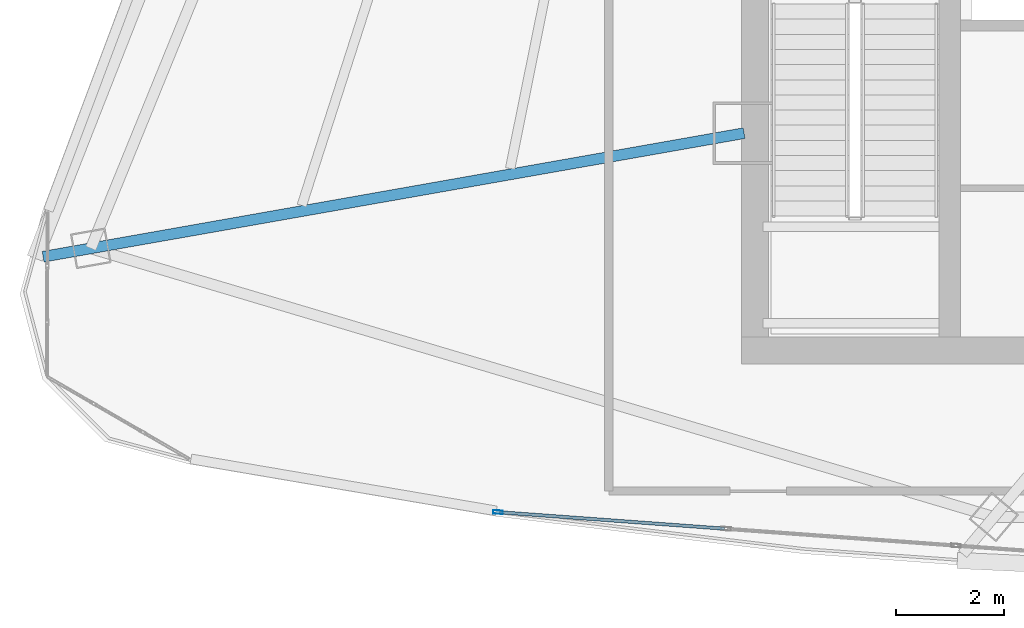
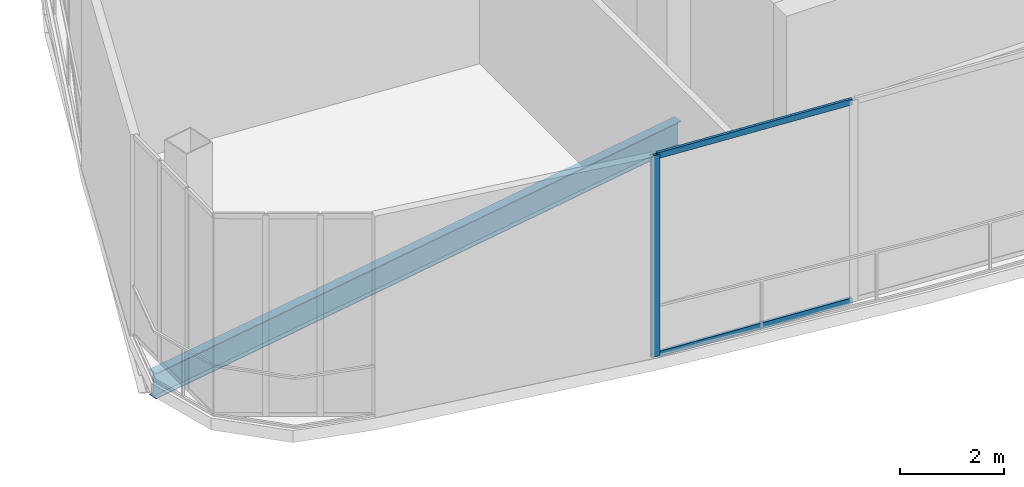
# One storey, part 3 of 33: 3 members, 1 beam, 1 element without a shape of its own.
"""IFC4 building model written with IfcOpenShell, lengths in metres."""

import ifcopenshell
import ifcopenshell.guid

model = None  # the IFC model being written
_history = None  # IfcOwnerHistory: only IFC2X3 demands one
_inside = {}  # id of a spatial element -> (the spatial element, [elements in it])
_under = {}  # id of a project, library or spatial element -> (it, [spatial elements below it])
_declared = {}  # id of a project -> (the project, [libraries it declares])
_typed = {}  # id of a type object -> (the type object, [elements of that type])
_made_of = {}  # id of a material, layer set ... -> (it, [elements and type objects made of it])


def new_model(schema):
    """Start an empty IFC model of exactly this schema.

    Asked for "IFC4X3", IfcOpenShell would pick the latest addendum, in which some entities
    have other attributes; the version numbers below select the first issue.
    IFC2X3 requires an IfcOwnerHistory on every rooted entity: one is made here for all.
    """
    global model, _history
    if schema == "IFC4X3":
        model = ifcopenshell.file(schema_version=(4, 3, 0, 0))
    else:
        model = ifcopenshell.file(schema=schema)
    _inside.clear()
    _under.clear()
    _declared.clear()
    _typed.clear()
    _made_of.clear()
    _history = None
    if model.schema == "IFC2X3":
        org = make("IfcOrganization", Name="unknown")
        user = make(
            "IfcPersonAndOrganization",
            ThePerson=make("IfcPerson", FamilyName="unknown"),
            TheOrganization=org,
        )
        app = make(
            "IfcApplication",
            ApplicationDeveloper=org,
            Version="unknown",
            ApplicationFullName="unknown",
            ApplicationIdentifier="unknown",
        )
        _history = make(
            "IfcOwnerHistory",
            OwningUser=user,
            OwningApplication=app,
            ChangeAction="ADDED",
            CreationDate=0,
        )
    return model


def make(cls, **values):
    """One entity of the class cls with the attributes given. An attribute that is None is left unset."""
    return model.create_entity(
        cls, **{name: value for name, value in values.items() if value is not None}
    )


def rooted(cls, **values):
    """An entity with a GlobalId (a new one), such as an element, a storey or a relation."""
    return make(cls, GlobalId=ifcopenshell.guid.new(), OwnerHistory=_history, **values)


def si_unit(unit_type, name, prefix=None):
    """IfcSIUnit, for example si_unit("LENGTHUNIT", "METRE", prefix="MILLI")."""
    return make("IfcSIUnit", UnitType=unit_type, Prefix=prefix, Name=name)


def assignment(units):
    """IfcUnitAssignment: the units of a project."""
    return None if units is None else make("IfcUnitAssignment", Units=units)


def point(xyz):
    """IfcCartesianPoint."""
    return None if xyz is None else make("IfcCartesianPoint", Coordinates=xyz)


def direction(xyz):
    """IfcDirection."""
    return None if xyz is None else make("IfcDirection", DirectionRatios=xyz)


def frame(location, z_axis=None, x_axis=None):
    """IfcAxis2Placement3D, a coordinate frame: its origin and axes. An axis left out is left unset."""
    return make(
        "IfcAxis2Placement3D",
        Location=point(location),
        Axis=direction(z_axis),
        RefDirection=direction(x_axis),
    )


def frame_2d(location, x_axis=None):
    """IfcAxis2Placement2D, a coordinate frame in the plane: its origin and x axis."""
    return make(
        "IfcAxis2Placement2D", Location=point(location), RefDirection=direction(x_axis)
    )


def origin():
    """The frame at (0, 0, 0) with its axes left unset."""
    return frame((0.0, 0.0, 0.0))


def origin_2d():
    """The frame at (0, 0) in the plane with its x axis left unset."""
    return frame_2d((0.0, 0.0))


def place(relative_to, where):
    """IfcLocalPlacement: puts the frame where relative to a parent placement (None: the world)."""
    return make(
        "IfcLocalPlacement", PlacementRelTo=relative_to, RelativePlacement=where
    )


def context(
    kind, dimensions, precision=None, world=None, true_north=None, identifier=None
):
    """IfcGeometricRepresentationContext, for example the 3D "Model" context."""
    return make(
        "IfcGeometricRepresentationContext",
        ContextIdentifier=identifier,
        ContextType=kind,
        CoordinateSpaceDimension=dimensions,
        Precision=precision,
        WorldCoordinateSystem=world,
        TrueNorth=true_north,
    )


def subcontext(parent, identifier, kind, view, scale=None):
    """IfcGeometricRepresentationSubContext, for example "Body" below "Model"."""
    return make(
        "IfcGeometricRepresentationSubContext",
        ContextIdentifier=identifier,
        ContextType=kind,
        ParentContext=parent,
        TargetScale=scale,
        TargetView=view,
    )


def project(units=None, contexts=None):
    """IfcProject with its units and contexts."""
    return rooted(
        "IfcProject",
        Name="project",
        RepresentationContexts=contexts,
        UnitsInContext=assignment(units),
    )


def spatial(cls, under=None, at=None, **own):
    """A site, building, storey or space (cls), placed at a placement, below another one or the project."""
    s = rooted(cls, ObjectPlacement=at, **own)
    if under is not None:
        _under.setdefault(under.id(), (under, []))[1].append(s)
    return s


def profile(cls, at=None, kind="AREA", **sizes):
    """A parametric profile (cls). Its sizes go by their IFC names, for example OverallWidth=200.0."""
    return make(cls, ProfileType=kind, Position=at, **sizes)


def hollow_rectangle(**sizes):
    """IfcRectangleHollowProfileDef."""
    return profile("IfcRectangleHollowProfileDef", **sizes)


def i_section(**sizes):
    """IfcIShapeProfileDef."""
    return profile("IfcIShapeProfileDef", **sizes)


def extrude(swept, where, along, depth):
    """IfcExtrudedAreaSolid: the profile swept, set in the frame where, extruded along a direction by depth."""
    return make(
        "IfcExtrudedAreaSolid",
        SweptArea=swept,
        Position=where,
        ExtrudedDirection=direction(along),
        Depth=depth,
    )


def shape(context_of_items, identifier, shape_type, items):
    """IfcShapeRepresentation: the items that make up one representation, for example the "Body"."""
    return make(
        "IfcShapeRepresentation",
        ContextOfItems=context_of_items,
        RepresentationIdentifier=identifier,
        RepresentationType=shape_type,
        Items=items,
    )


def source(mapping_origin, context_of_items, identifier, shape_type, items):
    """IfcRepresentationMap: a shape defined once, which mapped items show again and again."""
    return make(
        "IfcRepresentationMap",
        MappingOrigin=mapping_origin,
        MappedRepresentation=shape(context_of_items, identifier, shape_type, items),
    )


def transform(
    local_origin,
    x_axis=None,
    y_axis=None,
    z_axis=None,
    scale=None,
    scale2=None,
    scale3=None,
    uniform=True,
):
    """IfcCartesianTransformationOperator3D, or its non-uniform kind. x_axis, y_axis, z_axis: its Axis1, 2, 3."""
    if uniform:
        return make(
            "IfcCartesianTransformationOperator3D",
            Axis1=direction(x_axis),
            Axis2=direction(y_axis),
            LocalOrigin=point(local_origin),
            Scale=scale,
            Axis3=direction(z_axis),
        )
    return make(
        "IfcCartesianTransformationOperator3DnonUniform",
        Axis1=direction(x_axis),
        Axis2=direction(y_axis),
        LocalOrigin=point(local_origin),
        Scale=scale,
        Axis3=direction(z_axis),
        Scale2=scale2,
        Scale3=scale3,
    )


def mapped(mapping_source, mapping_target):
    """IfcMappedItem: shows the shape of a source again, moved by a transform."""
    return make(
        "IfcMappedItem", MappingSource=mapping_source, MappingTarget=mapping_target
    )


def material(Name=None, Category=None):
    """IfcMaterial."""
    return make("IfcMaterial", Name=Name, Category=Category)


def layer(
    of_material, thickness, ventilated=None, Name=None, Category=None, Priority=None
):
    """IfcMaterialLayer: one layer of a wall or slab, of a material (None: an air gap)."""
    return make(
        "IfcMaterialLayer",
        Material=of_material,
        LayerThickness=thickness,
        IsVentilated=ventilated,
        Name=Name,
        Category=Category,
        Priority=Priority,
    )


def layer_set(layers, Name=None):
    """IfcMaterialLayerSet."""
    return make("IfcMaterialLayerSet", MaterialLayers=layers, LayerSetName=Name)


def material_profile(
    of_material, cross_section, Name=None, Category=None, Priority=None
):
    """IfcMaterialProfile: a cross section and its material."""
    return make(
        "IfcMaterialProfile",
        Name=Name,
        Material=of_material,
        Profile=cross_section,
        Priority=Priority,
        Category=Category,
    )


def profile_set(profiles, Name=None, composite=None):
    """IfcMaterialProfileSet."""
    return make(
        "IfcMaterialProfileSet",
        Name=Name,
        MaterialProfiles=profiles,
        CompositeProfile=composite,
    )


def made_of(thing, what):
    """Note that an element or type object is made of a material, layer set ...; save() writes the relation."""
    if what is not None:
        _made_of.setdefault(what.id(), (what, []))[1].append(thing)
    return thing


def type_object(cls, material=None, **own):
    """A type object (cls), such as IfcWallType, which elements share."""
    return made_of(rooted(cls, **own), material)


def element(
    cls,
    number,
    at=None,
    inside=None,
    cuts=None,
    type_object=None,
    material=None,
    context=None,
    identifier="Body",
    shape_type=None,
    held_by="IfcProductDefinitionShape",
    body=None,
    shapes=None,
    **own,
):
    """One element of the class cls, such as IfcWall. Its Tag is "e" and its number.

    at: its placement. inside: the storey or other place that contains it. cuts: it is an
    opening in that element (IfcRelVoidsElement). A single representation is given by context,
    identifier, shape_type and body (its items); several are given by shapes. held_by: the class
    of the entity that holds the representations. save() writes the other relations.
    """
    e = rooted(cls, Tag="e%d" % number, ObjectPlacement=at, **own)
    if body is not None:
        shapes = [shape(context, identifier, shape_type, body)]
    if shapes is not None:
        e.Representation = make(held_by, Representations=shapes)
    if inside is not None:
        _inside.setdefault(inside.id(), (inside, []))[1].append(e)
    if cuts is not None:
        rooted(
            "IfcRelVoidsElement", RelatingBuildingElement=cuts, RelatedOpeningElement=e
        )
    if type_object is not None:
        _typed.setdefault(type_object.id(), (type_object, []))[1].append(e)
    return made_of(e, material)


def aggregate(whole, parts):
    """IfcRelAggregates: a whole, such as a stair, and the parts it consists of."""
    return rooted("IfcRelAggregates", RelatingObject=whole, RelatedObjects=parts)


def save(model, path):
    """Write the relations noted so far, then the file.

    IfcRelAggregates (storeys below a building ...), IfcRelContainedInSpatialStructure (elements
    in a storey), IfcRelDefinesByType, IfcRelAssociatesMaterial and IfcRelDeclares: one each for
    every whole, place, type object, material and project.
    """
    for whole, parts in _under.values():
        aggregate(whole, parts)
    for where, things in _inside.values():
        rooted(
            "IfcRelContainedInSpatialStructure",
            RelatedElements=things,
            RelatingStructure=where,
        )
    for kind, things in _typed.values():
        rooted("IfcRelDefinesByType", RelatedObjects=things, RelatingType=kind)
    for what, things in _made_of.values():
        rooted("IfcRelAssociatesMaterial", RelatedObjects=things, RelatingMaterial=what)
    for by, libraries in _declared.values():
        rooted("IfcRelDeclares", RelatingContext=by, RelatedDefinitions=libraries)
    model.write(path)


model = new_model("IFC4")

# Units and contexts
model_context = context("Model", 3, precision=1e-05, world=origin(), true_north=direction((0.0, 1.0)))
body_context = subcontext(model_context, "Body", "Model", "MODEL_VIEW")
ifc_project = project(units=[si_unit("LENGTHUNIT", "METRE"), si_unit("AREAUNIT", "SQUARE_METRE"), si_unit("VOLUMEUNIT", "CUBIC_METRE"), si_unit("PLANEANGLEUNIT", "RADIAN"), si_unit("MASSUNIT", "GRAM", prefix="KILO"), si_unit("THERMODYNAMICTEMPERATUREUNIT", "KELVIN"), si_unit("POWERUNIT", "WATT")], contexts=[model_context])

# Site, building, storey
site_placement = place(None, origin())
site = spatial("IfcSite", under=ifc_project, at=site_placement, CompositionType="ELEMENT")
building_placement = place(site_placement, origin())
building = spatial("IfcBuilding", under=site, at=building_placement, Name="Yunzhuo Pagoda Commons", CompositionType="ELEMENT")
storey_placement = place(building_placement, frame((0.0, 0.0, 386.760009765625)))
storey = spatial("IfcBuildingStorey", under=building, at=storey_placement, Name="L96", CompositionType="ELEMENT", Elevation=386.760009765625)

# Beam
ifc_material_1 = material(Name="Structural steel Q355B", Category="steel")
ifc_material_profile_1 = material_profile(ifc_material_1, i_section(OverallWidth=0.199951171875, OverallDepth=0.60009765625, WebThickness=0.010986328125, FlangeThickness=0.01708984375, at=origin_2d()), Name="Structural steel Q355B")
ifc_profile_set_1 = profile_set([ifc_material_profile_1], Name="Structural steel Q355B")
beam_type = type_object("IfcBeamType", Name="B-RG3 Beam HN 600x200x11x17", PredefinedType="BEAM", material=ifc_profile_set_1)
shared_shape_1 = source(origin(), body_context, "Body", "SweptSolid", [
    extrude(i_section(OverallWidth=0.199951171875, OverallDepth=0.60009765625, WebThickness=0.010986328125, FlangeThickness=0.01708984375, at=origin_2d()), origin(), (0.0, 0.0, 1.0), 13.151123046875),
])
beam_placement = place(storey_placement, frame((22.648681640625, 29.229736328125, -0.580078125), z_axis=(0.984807657771, 0.173648717804, 0.0), x_axis=(-0.173648717804, 0.984807657771, 0.0)))
element("IfcBeam", 1, at=beam_placement, inside=storey, type_object=beam_type, Name="L96 radial floor girder F3C4", PredefinedType="BEAM", context=body_context, shape_type="MappedRepresentation", body=[
    mapped(shared_shape_1, transform((0.0, 0.0, 0.0), scale=1.0)),
])

# Curtain wall, members
ifc_material_2 = material(Name="Anodized aluminium 6063-T6", Category="aluminium")
ifc_layer = layer(ifc_material_2, 0.179931640625)
ifc_layer_set = layer_set([ifc_layer], Name="Anodized aluminium 6063-T6")
curtain_wall_type = type_object("IfcCurtainWallType", Name="CW-CRN Crown Gable Glazing System", PredefinedType="NOTDEFINED", material=ifc_layer_set)
curtain_wall_placement = place(storey_placement, origin())
curtain_wall = element("IfcCurtainWall", 2, at=curtain_wall_placement, inside=storey, type_object=curtain_wall_type, Name="L96 curtain wall CW-L96-CRNF1G1", PredefinedType="NOTDEFINED")
ifc_material_profile_2 = material_profile(ifc_material_2, hollow_rectangle(XDim=0.06494140625, YDim=0.179931640625, WallThickness=0.00390625, at=origin_2d()), Name="Anodized aluminium 6063-T6")
ifc_profile_set_2 = profile_set([ifc_material_profile_2], Name="Anodized aluminium 6063-T6")
member_type_1 = type_object("IfcMemberType", Name="CW-CRN-M Mullion RHS 180x65x4", PredefinedType="MULLION", material=ifc_profile_set_2)
shared_shape_2 = source(origin(), body_context, "Body", "SweptSolid", [
    extrude(hollow_rectangle(XDim=0.06494140625, YDim=0.179931640625, WallThickness=0.00390625, at=origin_2d()), origin(), (0.0, 0.0, 1.0), 4.72021484375),
])
member_1_placement = place(storey_placement, frame((31.053466796875, 24.511474609375, 0.0), z_axis=(0.0, 0.0, 1.0), x_axis=(0.072795570763, 0.997346882924, 0.0)))
member_1 = element("IfcMember", 3, at=member_1_placement, type_object=member_type_1, Name="CW mullion 1", PredefinedType="MULLION", context=body_context, shape_type="MappedRepresentation", body=[
    mapped(shared_shape_2, transform((0.0, 0.0, 0.0), scale=1.0)),
])
ifc_material_profile_3 = material_profile(ifc_material_2, hollow_rectangle(XDim=0.06005859375, YDim=0.139892578125, WallThickness=0.00341796875, at=origin_2d()), Name="Anodized aluminium 6063-T6")
ifc_profile_set_3 = profile_set([ifc_material_profile_3], Name="Anodized aluminium 6063-T6")
member_type_2 = type_object("IfcMemberType", Name="CW-CRN-T Transom RHS 140x60x3.5", PredefinedType="USERDEFINED", material=ifc_profile_set_3)
shared_shape_3 = source(origin(), body_context, "Body", "SweptSolid", [
    extrude(hollow_rectangle(XDim=0.06005859375, YDim=0.139892578125, WallThickness=0.00341796875, at=origin_2d()), origin(), (0.0, 0.0, 1.0), 4.15966796875),
])
member_2_placement = place(storey_placement, frame((31.086181640625, 24.5087890625, 0.030029296875), z_axis=(0.997348185871, -0.072777717324, 0.0), x_axis=(0.072777717324, 0.997348185871, 0.0)))
member_2 = element("IfcMember", 4, at=member_2_placement, type_object=member_type_2, Name="CW transom 1.1", ObjectType="TRANSOM", PredefinedType="USERDEFINED", context=body_context, shape_type="MappedRepresentation", body=[
    mapped(shared_shape_3, transform((0.0, 0.0, 0.0), scale=1.0)),
])
member_3_placement = place(storey_placement, frame((31.086181640625, 24.5087890625, 4.68994140625), z_axis=(0.997348185871, -0.072777717324, 0.0), x_axis=(0.072777717324, 0.997348185871, 0.0)))
member_3 = element("IfcMember", 5, at=member_3_placement, type_object=member_type_2, Name="CW transom 1.2", ObjectType="TRANSOM", PredefinedType="USERDEFINED", context=body_context, shape_type="MappedRepresentation", body=[
    mapped(shared_shape_3, transform((0.0, 0.0, 0.0), scale=1.0)),
])
aggregate(curtain_wall, [member_1, member_2, member_3])

save(model, "model.ifc")
